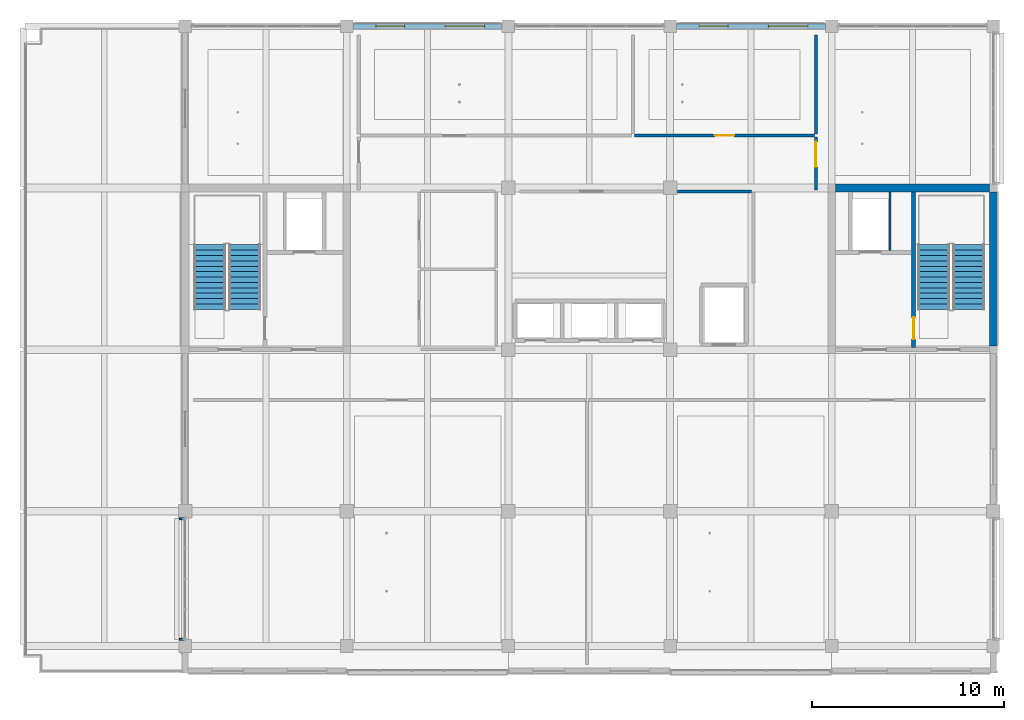
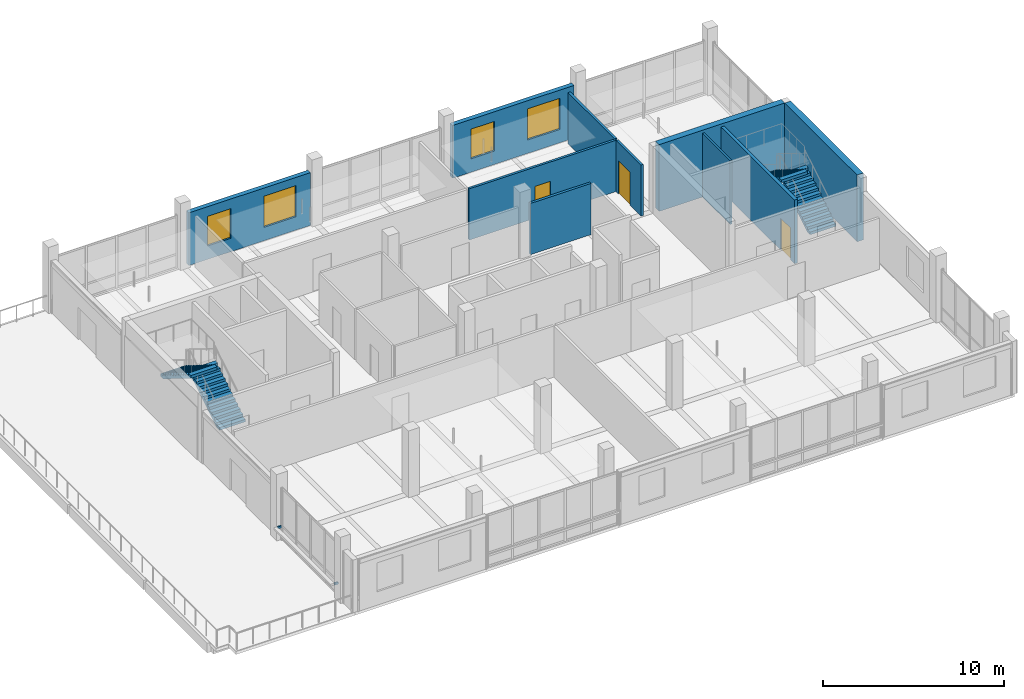
# One storey, part 11 of 28: 10 walls, 4 stair flights, 4 windows, 3 doors, 2 discrete accessories, 7 openings, 2 elements without a shape of their own.
"""IFC4 building model written with IfcOpenShell, lengths in metres."""

from ifc_helpers import new_model, si_unit, direction, frame, frame_2d, origin, origin_2d, place, context, subcontext, project, spatial, polyline, rectangle, outline, extrude, material, layer, layer_set, type_object, element, fill, aggregate, save


model = new_model("IFC4")

# Units and contexts
model_context = context("Model", 3, precision=1e-05, world=origin(), true_north=direction((0.0, 1.0)))
body_context = subcontext(model_context, "Body", "Model", "MODEL_VIEW")
ifc_project = project(units=[si_unit("LENGTHUNIT", "METRE"), si_unit("AREAUNIT", "SQUARE_METRE"), si_unit("VOLUMEUNIT", "CUBIC_METRE"), si_unit("PLANEANGLEUNIT", "RADIAN"), si_unit("MASSUNIT", "GRAM", prefix="KILO")], contexts=[model_context])

# Site, building, storey
site_placement = place(None, origin())
site = spatial("IfcSite", under=ifc_project, at=site_placement, CompositionType="ELEMENT")
building_placement = place(site_placement, origin())
building = spatial("IfcBuilding", under=site, at=building_placement, Name="Telukmera Botanical Conservatory", CompositionType="ELEMENT")
storey_placement = place(building_placement, frame((0.0, 0.0, 51.0)))
storey = spatial("IfcBuildingStorey", under=building, at=storey_placement, Name="L11", CompositionType="ELEMENT", Elevation=51.0)

# Wall, openings, windows
ifc_material_1 = material(Name="Precast concrete C40/50", Category="concrete")
ifc_layer_1 = layer(ifc_material_1, 0.280029296875)
ifc_layer_set_1 = layer_set([ifc_layer_1], Name="Precast concrete C40/50")
wall_type_1 = type_object("IfcWallType", Name="Exterior Laboratory Modular Precast Wall 280", PredefinedType="ELEMENTEDWALL", material=ifc_layer_set_1)
wall_1_placement = place(storey_placement, frame((67.527099609375, 42.800048828125, 0.0), z_axis=(0.0, 0.0, 1.0), x_axis=(1.0, 0.0, 0.0)))
wall_1 = element("IfcWall", 1, at=wall_1_placement, inside=storey, type_object=wall_type_1, Name="Exterior Precast Wall EW06 V4:L11:N2", PredefinedType="ELEMENTEDWALL", context=body_context, shape_type="SweptSolid", body=[
    extrude(rectangle(XDim=7.745849609375, YDim=0.280029296875, at=frame_2d((3.873046875, 0.0))), origin(), (0.0, 0.0, 1.0), 3.550048828125),
])
opening_1_placement = place(wall_1_placement, frame((1.1865234375, 0.0, 0.89990234375)))
opening_1 = element("IfcOpeningElement", 2, at=opening_1_placement, cuts=wall_1, Name="Opening W06", PredefinedType="OPENING", context=body_context, shape_type="SweptSolid", body=[
    extrude(rectangle(XDim=1.5, YDim=2.0, at=frame_2d((0.75, 1.0))), frame((0.0, 0.14990234375, 0.0), z_axis=(0.0, -1.0, 0.0), x_axis=(1.0, 0.0, 0.0)), (0.0, 0.0, 1.0), 0.300048828125),
])
opening_2_placement = place(wall_1_placement, frame((4.784423828125, 0.0, 0.89990234375)))
opening_2 = element("IfcOpeningElement", 3, at=opening_2_placement, cuts=wall_1, Name="Opening W14", PredefinedType="OPENING", context=body_context, shape_type="SweptSolid", body=[
    extrude(rectangle(XDim=2.050048828125, YDim=2.10009765625, at=frame_2d((1.02490234375, 1.050048828125))), frame((0.0, 0.14990234375, 0.0), z_axis=(0.0, -1.0, 0.0), x_axis=(1.0, 0.0, 0.0)), (0.0, 0.0, 1.0), 0.300048828125),
])
ifc_material_2 = material(Name="Thermally broken anodised aluminium frame with low-E double glazing", Category="aluminium")
window_type_1 = type_object("IfcWindowType", Name="Double Vertical Laboratory Viewing Window 1500x2000", PartitioningType="DOUBLE_PANEL_VERTICAL", PredefinedType="WINDOW", material=ifc_material_2)
window_1_placement = place(opening_1_placement, origin())
window_1 = element("IfcWindow", 4, at=window_1_placement, inside=storey, type_object=window_type_1, Name="Facade Window W06 V4:L11:N2 1", OverallHeight=2.0, OverallWidth=1.5, PartitioningType="DOUBLE_PANEL_VERTICAL", PredefinedType="WINDOW", context=body_context, shape_type="SweptSolid", body=[
    extrude(rectangle(XDim=1.5, YDim=2.0, at=frame_2d((0.75, 1.0))), frame((0.0, 0.030029296875, 0.0), z_axis=(0.0, -1.0, 0.0), x_axis=(1.0, 0.0, 0.0)), (0.0, 0.0, 1.0), 0.06005859375),
])
fill(opening_1, window_1)
window_type_2 = type_object("IfcWindowType", Name="Triple Vertical Microscopy Lab Window 2050x2100", PartitioningType="TRIPLE_PANEL_VERTICAL", PredefinedType="WINDOW", material=ifc_material_2)
window_2_placement = place(opening_2_placement, origin())
window_2 = element("IfcWindow", 5, at=window_2_placement, inside=storey, type_object=window_type_2, Name="Facade Window W14 V4:L11:N2 2", OverallHeight=2.10009765625, OverallWidth=2.050048828125, PartitioningType="TRIPLE_PANEL_VERTICAL", PredefinedType="WINDOW", context=body_context, shape_type="SweptSolid", body=[
    extrude(rectangle(XDim=2.050048828125, YDim=2.10009765625, at=frame_2d((1.02490234375, 1.050048828125))), frame((0.0, 0.030029296875, 0.0), z_axis=(0.0, -1.0, 0.0), x_axis=(1.0, 0.0, 0.0)), (0.0, 0.0, 1.0), 0.06005859375),
])
fill(opening_2, window_2)

wall_2_placement = place(storey_placement, frame((84.326904296875, 42.800048828125, 0.0), z_axis=(0.0, 0.0, 1.0), x_axis=(1.0, 0.0, 0.0)))
wall_2 = element("IfcWall", 6, at=wall_2_placement, inside=storey, type_object=wall_type_1, Name="Exterior Precast Wall EW06 V4:L11:N4", PredefinedType="ELEMENTEDWALL", context=body_context, shape_type="SweptSolid", body=[
    extrude(rectangle(XDim=7.74609375, YDim=0.280029296875, at=frame_2d((3.873046875, 0.0))), origin(), (0.0, 0.0, 1.0), 3.550048828125),
])
opening_3_placement = place(wall_2_placement, frame((1.1865234375, 0.0, 0.89990234375)))
opening_3 = element("IfcOpeningElement", 7, at=opening_3_placement, cuts=wall_2, Name="Opening W06", PredefinedType="OPENING", context=body_context, shape_type="SweptSolid", body=[
    extrude(rectangle(XDim=1.5, YDim=2.0, at=frame_2d((0.75, 1.0))), frame((0.0, 0.14990234375, 0.0), z_axis=(0.0, -1.0, 0.0), x_axis=(1.0, 0.0, 0.0)), (0.0, 0.0, 1.0), 0.300048828125),
])
opening_4_placement = place(wall_2_placement, frame((4.784423828125, 0.0, 0.89990234375)))
opening_4 = element("IfcOpeningElement", 8, at=opening_4_placement, cuts=wall_2, Name="Opening W14", PredefinedType="OPENING", context=body_context, shape_type="SweptSolid", body=[
    extrude(rectangle(XDim=2.050048828125, YDim=2.10009765625, at=frame_2d((1.02490234375, 1.050048828125))), frame((0.0, 0.14990234375, 0.0), z_axis=(0.0, -1.0, 0.0), x_axis=(1.0, 0.0, 0.0)), (0.0, 0.0, 1.0), 0.300048828125),
])
window_3_placement = place(opening_3_placement, origin())
window_3 = element("IfcWindow", 9, at=window_3_placement, inside=storey, type_object=window_type_1, Name="Facade Window W06 V4:L11:N4 1", OverallHeight=2.0, OverallWidth=1.5, PartitioningType="DOUBLE_PANEL_VERTICAL", PredefinedType="WINDOW", context=body_context, shape_type="SweptSolid", body=[
    extrude(rectangle(XDim=1.5, YDim=2.0, at=frame_2d((0.75, 1.0))), frame((0.0, 0.030029296875, 0.0), z_axis=(0.0, -1.0, 0.0), x_axis=(1.0, 0.0, 0.0)), (0.0, 0.0, 1.0), 0.06005859375),
])
fill(opening_3, window_3)
window_4_placement = place(opening_4_placement, origin())
window_4 = element("IfcWindow", 10, at=window_4_placement, inside=storey, type_object=window_type_2, Name="Facade Window W14 V4:L11:N4 2", OverallHeight=2.10009765625, OverallWidth=2.050048828125, PartitioningType="TRIPLE_PANEL_VERTICAL", PredefinedType="WINDOW", context=body_context, shape_type="SweptSolid", body=[
    extrude(rectangle(XDim=2.050048828125, YDim=2.10009765625, at=frame_2d((1.02490234375, 1.050048828125))), frame((0.0, 0.030029296875, 0.0), z_axis=(0.0, -1.0, 0.0), x_axis=(1.0, 0.0, 0.0)), (0.0, 0.0, 1.0), 0.06005859375),
])
fill(opening_4, window_4)

# Wall, opening, door
ifc_material_3 = material(Name="Concrete C40/50", Category="concrete")
ifc_layer_2 = layer(ifc_material_3, 0.199951171875)
ifc_layer_set_2 = layer_set([ifc_layer_2], Name="Concrete C40/50")
wall_type_2 = type_object("IfcWallType", Name="WT-CORE-200", PredefinedType="SOLIDWALL", material=ifc_layer_set_2)
wall_3_placement = place(storey_placement, frame((96.64990234375, 26.10009765625, 0.0), z_axis=(0.0, 0.0, 1.0), x_axis=(0.0, 1.0, 0.0)))
wall_3 = element("IfcWall", 11, at=wall_3_placement, inside=storey, type_object=wall_type_2, Name="L11 Core C2 Stair-Lobby Wall", PredefinedType="SOLIDWALL", context=body_context, shape_type="SweptSolid", body=[
    extrude(rectangle(XDim=8.099853515625, YDim=0.199951171875, at=frame_2d((4.0498046875, 0.0))), origin(), (0.0, 0.0, 1.0), 4.300048828125),
])
opening_5_placement = place(wall_3_placement, frame((0.449951171875, 0.0, 0.0)))
opening_5 = element("IfcOpeningElement", 12, at=opening_5_placement, cuts=wall_3, Name="Opening FD60B", PredefinedType="OPENING", context=body_context, shape_type="SweptSolid", body=[
    extrude(rectangle(XDim=1.1201171875, YDim=2.14990234375, at=frame_2d((0.56005859375, 1.074951171875))), frame((0.0, 0.10986328125, 0.0), z_axis=(0.0, -1.0, 0.0), x_axis=(1.0, 0.0, 0.0)), (0.0, 0.0, 1.0), 0.219970703125),
])
ifc_material_4 = material(Name="Hardwood fire door", Category="wood")
door_type_1 = type_object("IfcDoorType", Name="DT-FD60-02", OperationType="NOTDEFINED", PredefinedType="DOOR", material=ifc_material_4)
door_1_placement = place(opening_5_placement, frame((1.1201171875, 0.0, 0.0), z_axis=(0.0, 0.0, 1.0), x_axis=(-1.0, 0.0, 0.0)))
door_1 = element("IfcDoor", 13, at=door_1_placement, inside=storey, type_object=door_type_1, Name="L11 Firefighting Lobby C2 to ST2 Door", OperationType="SINGLE_SWING_LEFT", OverallHeight=2.14990234375, OverallWidth=1.1201171875, PredefinedType="DOOR", context=body_context, shape_type="SweptSolid", body=[
    extrude(rectangle(XDim=1.1201171875, YDim=2.14990234375, at=frame_2d((0.56005859375, 1.074951171875))), frame((0.0, 0.02490234375, 0.0), z_axis=(0.0, -1.0, 0.0), x_axis=(1.0, 0.0, 0.0)), (0.0, 0.0, 1.0), 0.050048828125),
])
fill(opening_5, door_1)

# Walls
ifc_material_5 = material(Name="Gypsum acoustic stud partition")
ifc_layer_3 = layer(ifc_material_5, 0.159912109375)
ifc_layer_set_3 = layer_set([ifc_layer_3], Name="Gypsum acoustic stud partition")
wall_type_3 = type_object("IfcWallType", Name="WT-LAB-160", PredefinedType="PARTITIONING", material=ifc_layer_set_3)
wall_4_placement = place(storey_placement, frame((84.3798828125, 34.22509765625, 0.0), z_axis=(0.0, 0.0, 1.0), x_axis=(1.0, 0.0, 0.0)))
element("IfcWall", 14, at=wall_4_placement, inside=storey, type_object=wall_type_3, Name="L11 Interior Partition 08", PredefinedType="PARTITIONING", context=body_context, shape_type="SweptSolid", body=[
    extrude(rectangle(XDim=3.855224609375, YDim=0.159912109375, at=frame_2d((1.927734375, 0.0))), origin(), (0.0, 0.0, 1.0), 3.449951171875),
])
ifc_material_6 = material(Name="Gypsum shaftwall liner")
ifc_layer_4 = layer(ifc_material_6, 0.110107421875)
ifc_layer_set_4 = layer_set([ifc_layer_4], Name="Gypsum shaftwall liner")
wall_type_4 = type_object("IfcWallType", Name="WT-RISER-110", PredefinedType="PARTITIONING", material=ifc_layer_set_4)
wall_5_placement = place(storey_placement, frame((95.419921875, 31.14990234375, 0.0), z_axis=(0.0, 0.0, 1.0), x_axis=(0.0, 1.0, 0.0)))
element("IfcWall", 15, at=wall_5_placement, inside=storey, type_object=wall_type_4, Name="L11 Wet Riser C2 Shaft Wall", PredefinedType="PARTITIONING", context=body_context, shape_type="SweptSolid", body=[
    extrude(rectangle(XDim=3.050048828125, YDim=0.110107421875, at=frame_2d((1.52490234375, 0.0))), origin(), (0.0, 0.0, 1.0), 4.300048828125),
])

# Wall, opening, door
ifc_layer_5 = layer(ifc_material_5, 0.14990234375)
ifc_layer_set_5 = layer_set([ifc_layer_5], Name="Gypsum acoustic stud partition")
wall_type_5 = type_object("IfcWallType", Name="WT-STD-150", PredefinedType="PARTITIONING", material=ifc_layer_set_5)
wall_6_placement = place(storey_placement, frame((82.14990234375, 37.125, 0.0), z_axis=(0.0, 0.0, 1.0), x_axis=(1.0, 0.0, 0.0)))
wall_6 = element("IfcWall", 16, at=wall_6_placement, inside=storey, type_object=wall_type_5, Name="L11 Interior Partition 17", PredefinedType="PARTITIONING", context=body_context, shape_type="SweptSolid", body=[
    extrude(rectangle(XDim=9.35009765625, YDim=0.14990234375, at=frame_2d((4.675048828125, 0.0))), origin(), (0.0, 0.0, 1.0), 3.449951171875),
])
opening_6_placement = place(wall_6_placement, frame((4.175048828125, 0.0, 0.0)))
opening_6 = element("IfcOpeningElement", 17, at=opening_6_placement, cuts=wall_6, Name="Opening ID14", PredefinedType="OPENING", context=body_context, shape_type="SweptSolid", body=[
    extrude(rectangle(XDim=1.0, YDim=2.14990234375, at=frame_2d((0.5, 1.074951171875))), frame((0.0, 0.0849609375, 0.0), z_axis=(0.0, -1.0, 0.0), x_axis=(1.0, 0.0, 0.0)), (0.0, 0.0, 1.0), 0.169921875),
])
ifc_material_7 = material(Name="Acoustic timber office door", Category="wood")
door_type_2 = type_object("IfcDoorType", Name="DT-WRT-100", OperationType="NOTDEFINED", PredefinedType="DOOR", material=ifc_material_7)
door_2_placement = place(opening_6_placement, origin())
door_2 = element("IfcDoor", 18, at=door_2_placement, inside=storey, type_object=door_type_2, Name="L11 Metabolomics Data Write-Up Studio Door", OperationType="SINGLE_SWING_RIGHT", OverallHeight=2.14990234375, OverallWidth=1.0, PredefinedType="DOOR", context=body_context, shape_type="SweptSolid", body=[
    extrude(rectangle(XDim=1.0, YDim=2.14990234375, at=frame_2d((0.5, 1.074951171875))), frame((0.0, 0.02490234375, 0.0), z_axis=(0.0, -1.0, 0.0), x_axis=(1.0, 0.0, 0.0)), (0.0, 0.0, 1.0), 0.050048828125),
])
fill(opening_6, door_2)

wall_7_placement = place(storey_placement, frame((91.574951171875, 34.300048828125, 0.0), z_axis=(0.0, 0.0, 1.0), x_axis=(0.0, 1.0, 0.0)))
wall_7 = element("IfcWall", 19, at=wall_7_placement, inside=storey, type_object=wall_type_5, Name="L11 Interior Partition 18", PredefinedType="PARTITIONING", context=body_context, shape_type="SweptSolid", body=[
    extrude(rectangle(XDim=2.739990234375, YDim=0.14990234375, at=frame_2d((1.3701171875, 0.0))), origin(), (0.0, 0.0, 1.0), 3.449951171875),
])
opening_7_placement = place(wall_7_placement, frame((1.18994140625, 0.0, 0.0)))
opening_7 = element("IfcOpeningElement", 20, at=opening_7_placement, cuts=wall_7, Name="Opening ID07", PredefinedType="OPENING", context=body_context, shape_type="SweptSolid", body=[
    extrude(rectangle(XDim=1.300048828125, YDim=2.25, at=frame_2d((0.64990234375, 1.125))), frame((0.0, 0.0849609375, 0.0), z_axis=(0.0, -1.0, 0.0), x_axis=(1.0, 0.0, 0.0)), (0.0, 0.0, 1.0), 0.169921875),
])
ifc_material_8 = material(Name="Acoustic timber seminar door", Category="wood")
door_type_3 = type_object("IfcDoorType", Name="DT-SEM-130", OperationType="NOTDEFINED", PredefinedType="DOOR", material=ifc_material_8)
door_3_placement = place(opening_7_placement, frame((1.300048828125, 0.0, 0.0), z_axis=(0.0, 0.0, 1.0), x_axis=(-1.0, 0.0, 0.0)))
door_3 = element("IfcDoor", 21, at=door_3_placement, inside=storey, type_object=door_type_3, Name="L11 Botanical Colloquium Studio Door", OperationType="SINGLE_SWING_LEFT", OverallHeight=2.25, OverallWidth=1.300048828125, PredefinedType="DOOR", context=body_context, shape_type="SweptSolid", body=[
    extrude(rectangle(XDim=1.300048828125, YDim=2.25, at=frame_2d((0.64990234375, 1.125))), frame((0.0, 0.02490234375, 0.0), z_axis=(0.0, -1.0, 0.0), x_axis=(1.0, 0.0, 0.0)), (0.0, 0.0, 1.0), 0.050048828125),
])
fill(opening_7, door_3)

# Walls
wall_8_placement = place(storey_placement, frame((91.574951171875, 37.2099609375, 0.0), z_axis=(0.0, 0.0, 1.0), x_axis=(0.0, 1.0, 0.0)))
element("IfcWall", 22, at=wall_8_placement, inside=storey, type_object=wall_type_5, Name="L11 Interior Partition 21", PredefinedType="PARTITIONING", context=body_context, shape_type="SweptSolid", body=[
    extrude(rectangle(XDim=5.14013671875, YDim=0.14990234375, at=frame_2d((2.570068359375, 0.0))), origin(), (0.0, 0.0, 1.0), 3.449951171875),
])
ifc_material_9 = material(Name="Concrete C50/60", Category="concrete")
ifc_layer_6 = layer(ifc_material_9, 0.39990234375)
ifc_layer_set_6 = layer_set([ifc_layer_6], Name="Concrete C50/60")
wall_type_6 = type_object("IfcWallType", Name="Wall_CW1", PredefinedType="SHEAR", material=ifc_layer_set_6)
for number, where, z_axis, x_axis, name in (
    (23, (100.800048828125, 26.199951171875, 0.0), (0.0, 0.0, 1.0), (0.0, 1.0, 0.0), "Core C2 Shear Wall East L11"),
    (24, (92.60009765625, 34.39990234375, 0.0), (0.0, 0.0, 1.0), (1.0, 0.0, 0.0), "Core C2 Shear Wall North L11"),
):
    element("IfcWall", number, at=place(storey_placement, frame(where, z_axis=z_axis, x_axis=x_axis)), inside=storey, type_object=wall_type_6, Name=name, PredefinedType="SHEAR", context=body_context, shape_type="SweptSolid", body=[
        extrude(rectangle(XDim=8.0, YDim=0.39990234375, at=frame_2d((4.0, 0.0))), origin(), (0.0, 0.0, 1.0), 4.5),
    ])

# Stair, stair flights
stair_type = type_object("IfcStairType", Name="ST-ESC-4500", PredefinedType="HALF_TURN_STAIR", material=ifc_material_3)
stair_1_placement = place(storey_placement, origin())
stair_1 = element("IfcStair", 25, at=stair_1_placement, inside=storey, type_object=stair_type, Name="L11 Protected Escape Stair ST1", PredefinedType="HALF_TURN_STAIR")
stair_flight_type = type_object("IfcStairFlightType", Name="SF-ESC-4500", PredefinedType="STRAIGHT", material=ifc_material_3)
stair_flight_1_placement = place(storey_placement, frame((61.89990234375, 28.090087890625, 0.0), z_axis=(0.0, 0.0, 1.0), x_axis=(0.0, 1.0, 0.0)))
stair_flight_1 = element("IfcStairFlight", 26, at=stair_flight_1_placement, type_object=stair_flight_type, Name="ST1 flight 1", NumberOfRisers=13, NumberOfTreads=12, PredefinedType="STRAIGHT", RiserHeight=0.173076923, TreadLength=0.28, context=body_context, shape_type="SweptSolid", body=[
    extrude(outline(polyline([(0.0, 0.0), (0.0, 0.173095703125), (0.280029296875, 0.173095703125), (0.280029296875, 0.34619140625), (0.56005859375, 0.34619140625), (0.56005859375, 0.519287109375), (0.840087890625, 0.519287109375), (0.840087890625, 0.6923828125), (1.1201171875, 0.6923828125), (1.1201171875, 0.865478515625), (1.39990234375, 0.865478515625), (1.39990234375, 1.03857421875), (1.679931640625, 1.03857421875), (1.679931640625, 1.21142578125), (1.9599609375, 1.21142578125), (1.9599609375, 1.384521484375), (2.239990234375, 1.384521484375), (2.239990234375, 1.5576171875), (2.52001953125, 1.5576171875), (2.52001953125, 1.730712890625), (2.800048828125, 1.730712890625), (2.800048828125, 1.90380859375), (3.080078125, 1.90380859375), (3.080078125, 2.076904296875), (3.360107421875, 2.076904296875), (3.360107421875, 2.25), (3.360107421875, 1.888916015625), (0.30419921875, 0.0), (0.0, 0.0)])), frame((0.0, 0.830078125, 0.0), z_axis=(0.0, -1.0, 0.0), x_axis=(1.0, 0.0, 0.0)), (0.0, 0.0, 1.0), 1.659912109375),
])
stair_flight_2_placement = place(storey_placement, frame((60.080078125, 31.449951171875, 2.25), z_axis=(0.0, 0.0, 1.0), x_axis=(0.0, -1.0, 0.0)))
stair_flight_2 = element("IfcStairFlight", 27, at=stair_flight_2_placement, type_object=stair_flight_type, Name="ST1 flight 2", NumberOfRisers=13, NumberOfTreads=12, PredefinedType="STRAIGHT", RiserHeight=0.173076923, TreadLength=0.28, context=body_context, shape_type="SweptSolid", body=[
    extrude(outline(polyline([(0.0, 0.0), (0.0, 0.173095703125), (0.280029296875, 0.173095703125), (0.280029296875, 0.34619140625), (0.56005859375, 0.34619140625), (0.56005859375, 0.519287109375), (0.840087890625, 0.519287109375), (0.840087890625, 0.6923828125), (1.1201171875, 0.6923828125), (1.1201171875, 0.865478515625), (1.39990234375, 0.865478515625), (1.39990234375, 1.03857421875), (1.679931640625, 1.03857421875), (1.679931640625, 1.21142578125), (1.9599609375, 1.21142578125), (1.9599609375, 1.384521484375), (2.239990234375, 1.384521484375), (2.239990234375, 1.5576171875), (2.52001953125, 1.5576171875), (2.52001953125, 1.730712890625), (2.800048828125, 1.730712890625), (2.800048828125, 1.90380859375), (3.080078125, 1.90380859375), (3.080078125, 2.076904296875), (3.360107421875, 2.076904296875), (3.360107421875, 2.25), (3.360107421875, 1.888916015625), (0.30419921875, 0.0), (0.0, 0.0)])), frame((0.0, 0.830078125, 0.0), z_axis=(0.0, -1.0, 0.0), x_axis=(1.0, 0.0, 0.0)), (0.0, 0.0, 1.0), 1.659912109375),
])
aggregate(stair_1, [stair_flight_1, stair_flight_2])

stair_2_placement = place(storey_placement, origin())
stair_2 = element("IfcStair", 28, at=stair_2_placement, inside=storey, type_object=stair_type, Name="L11 Protected Escape Stair ST2", PredefinedType="HALF_TURN_STAIR")
stair_flight_3_placement = place(storey_placement, frame((99.52001953125, 28.090087890625, 0.0), z_axis=(0.0, 0.0, 1.0), x_axis=(0.0, 1.0, 0.0)))
stair_flight_3 = element("IfcStairFlight", 29, at=stair_flight_3_placement, type_object=stair_flight_type, Name="ST2 flight 1", NumberOfRisers=13, NumberOfTreads=12, PredefinedType="STRAIGHT", RiserHeight=0.173076923, TreadLength=0.28, context=body_context, shape_type="SweptSolid", body=[
    extrude(outline(polyline([(0.0, 0.0), (0.0, 0.173095703125), (0.280029296875, 0.173095703125), (0.280029296875, 0.34619140625), (0.56005859375, 0.34619140625), (0.56005859375, 0.519287109375), (0.840087890625, 0.519287109375), (0.840087890625, 0.6923828125), (1.1201171875, 0.6923828125), (1.1201171875, 0.865478515625), (1.39990234375, 0.865478515625), (1.39990234375, 1.03857421875), (1.679931640625, 1.03857421875), (1.679931640625, 1.21142578125), (1.9599609375, 1.21142578125), (1.9599609375, 1.384521484375), (2.239990234375, 1.384521484375), (2.239990234375, 1.5576171875), (2.52001953125, 1.5576171875), (2.52001953125, 1.730712890625), (2.800048828125, 1.730712890625), (2.800048828125, 1.90380859375), (3.080078125, 1.90380859375), (3.080078125, 2.076904296875), (3.360107421875, 2.076904296875), (3.360107421875, 2.25), (3.360107421875, 1.888916015625), (0.30419921875, 0.0), (0.0, 0.0)])), frame((0.0, 0.830078125, 0.0), z_axis=(0.0, -1.0, 0.0), x_axis=(1.0, 0.0, 0.0)), (0.0, 0.0, 1.0), 1.659912109375),
])
stair_flight_4_placement = place(storey_placement, frame((97.699951171875, 31.449951171875, 2.25), z_axis=(0.0, 0.0, 1.0), x_axis=(0.0, -1.0, 0.0)))
stair_flight_4 = element("IfcStairFlight", 30, at=stair_flight_4_placement, type_object=stair_flight_type, Name="ST2 flight 2", NumberOfRisers=13, NumberOfTreads=12, PredefinedType="STRAIGHT", RiserHeight=0.173076923, TreadLength=0.28, context=body_context, shape_type="SweptSolid", body=[
    extrude(outline(polyline([(0.0, 0.0), (0.0, 0.173095703125), (0.280029296875, 0.173095703125), (0.280029296875, 0.34619140625), (0.56005859375, 0.34619140625), (0.56005859375, 0.519287109375), (0.840087890625, 0.519287109375), (0.840087890625, 0.6923828125), (1.1201171875, 0.6923828125), (1.1201171875, 0.865478515625), (1.39990234375, 0.865478515625), (1.39990234375, 1.03857421875), (1.679931640625, 1.03857421875), (1.679931640625, 1.21142578125), (1.9599609375, 1.21142578125), (1.9599609375, 1.384521484375), (2.239990234375, 1.384521484375), (2.239990234375, 1.5576171875), (2.52001953125, 1.5576171875), (2.52001953125, 1.730712890625), (2.800048828125, 1.730712890625), (2.800048828125, 1.90380859375), (3.080078125, 1.90380859375), (3.080078125, 2.076904296875), (3.360107421875, 2.076904296875), (3.360107421875, 2.25), (3.360107421875, 1.888916015625), (0.30419921875, 0.0), (0.0, 0.0)])), frame((0.0, 0.830078125, 0.0), z_axis=(0.0, -1.0, 0.0), x_axis=(1.0, 0.0, 0.0)), (0.0, 0.0, 1.0), 1.659912109375),
])
aggregate(stair_2, [stair_flight_3, stair_flight_4])

# Discrete accessories
ifc_material_10 = material(Name="Steel S355", Category="steel")
discrete_accessory_type = type_object("IfcDiscreteAccessoryType", Name="Structural Steel Facade Outrigger Fin Bracket", PredefinedType="BRACKET", material=ifc_material_10)
for number, where, z_axis, x_axis, name in (
    (31, (58.610107421875, 10.95703125, 0.8798828125), (0.0, 0.0, 1.0), (0.0, 1.0, 0.0), "Facade Outrigger Bracket V4:L11:W1 A"),
    (32, (58.610107421875, 17.218017578125, 0.8798828125), (0.0, 0.0, 1.0), (0.0, 1.0, 0.0), "Facade Outrigger Bracket V4:L11:W1 B"),
):
    element("IfcDiscreteAccessory", number, at=place(storey_placement, frame(where, z_axis=z_axis, x_axis=x_axis)), inside=storey, type_object=discrete_accessory_type, Name=name, PredefinedType="BRACKET", context=body_context, shape_type="SweptSolid", body=[
        extrude(rectangle(XDim=0.10009765625, YDim=0.239990234375, at=origin_2d()), origin(), (0.0, 0.0, 1.0), 0.139892578125),
    ])

save(model, "model.ifc")
